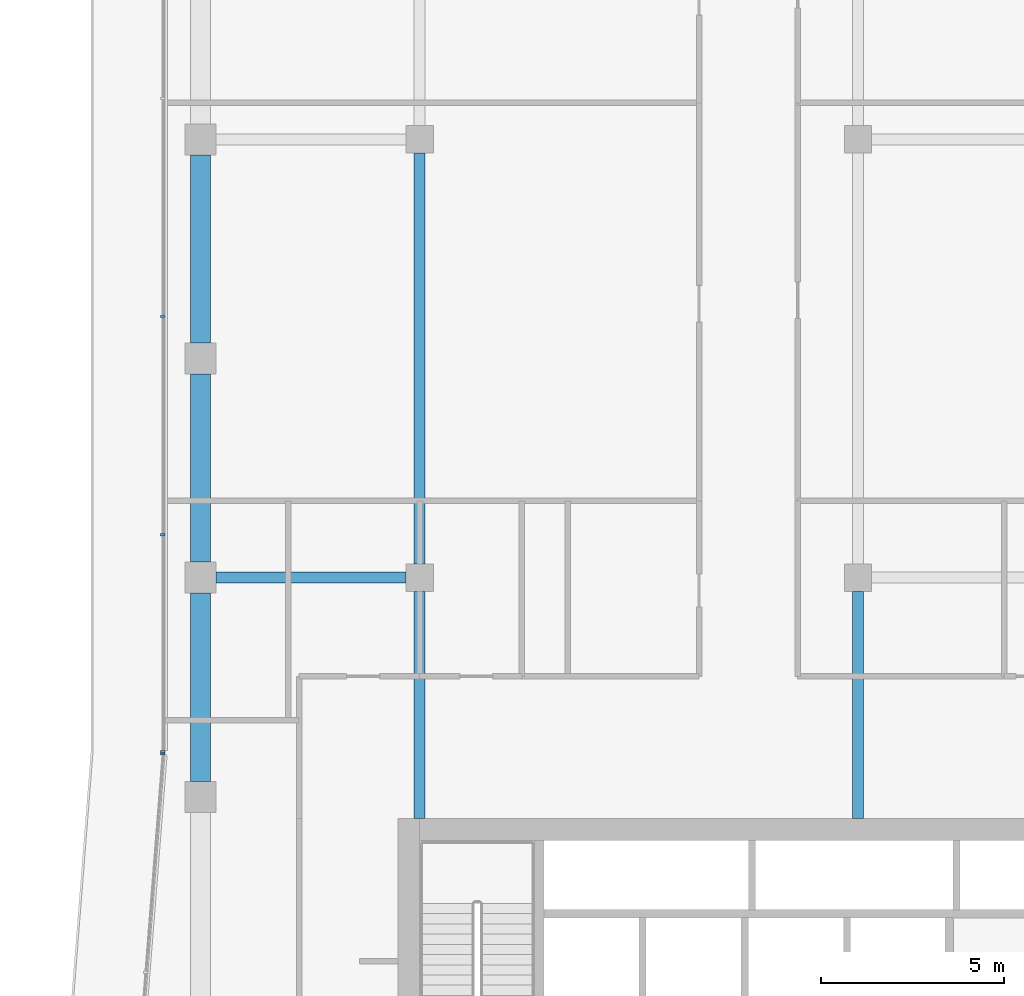
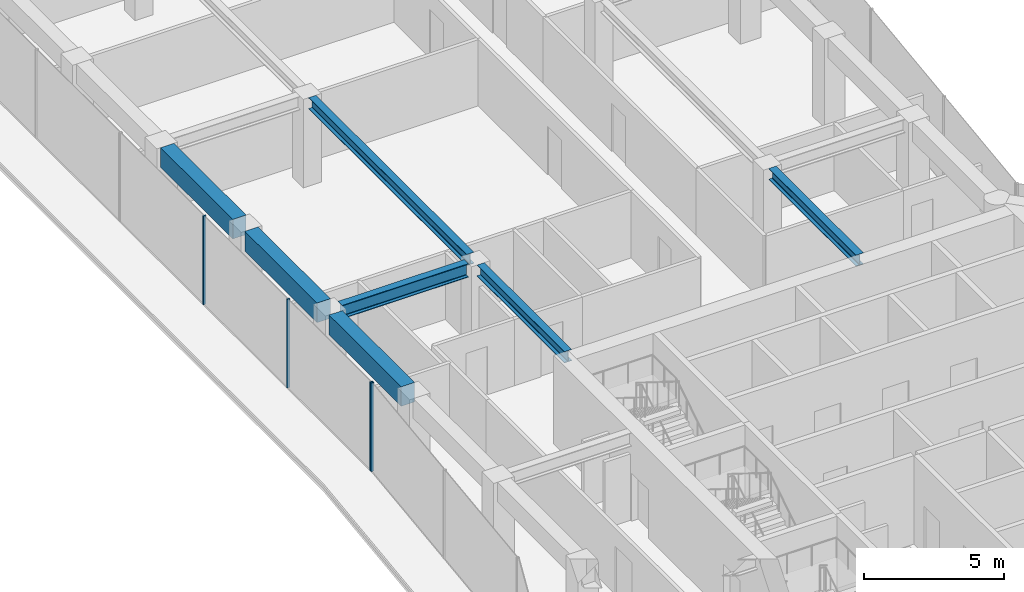
# One storey, part 8 of 22: 7 beams, 4 members, 2 elements without a shape of their own.
"""IFC4 building model written with IfcOpenShell, lengths in metres."""

from ifc_helpers import new_model, si_unit, direction, frame, origin, origin_2d, place, context, subcontext, project, spatial, rectangle, i_section, extrude, material, layer, layer_set, material_profile, profile_set, type_object, element, aggregate, save


model = new_model("IFC4")

# Units and contexts
model_context = context("Model", 3, precision=1e-05, world=origin(), true_north=direction((0.0, 1.0)))
body_context = subcontext(model_context, "Body", "Model", "MODEL_VIEW")
ifc_project = project(units=[si_unit("LENGTHUNIT", "METRE"), si_unit("AREAUNIT", "SQUARE_METRE"), si_unit("VOLUMEUNIT", "CUBIC_METRE"), si_unit("PLANEANGLEUNIT", "RADIAN"), si_unit("MASSUNIT", "GRAM", prefix="KILO")], contexts=[model_context])

# Site, building, storey
site_placement = place(None, origin())
site = spatial("IfcSite", under=ifc_project, at=site_placement, CompositionType="ELEMENT")
building_placement = place(site_placement, origin())
building = spatial("IfcBuilding", under=site, at=building_placement, Name="Welwitschia Terrace Campus", CompositionType="ELEMENT")
storey_placement = place(building_placement, frame((0.0, 0.0, 150.800048828125)))
storey = spatial("IfcBuildingStorey", under=building, at=storey_placement, Name="L33", CompositionType="ELEMENT", Elevation=150.800048828125)

# Beams
ifc_material_1 = material(Name="Steel S355", Category="steel")
ifc_material_profile_1 = material_profile(ifc_material_1, i_section(OverallWidth=0.300048828125, OverallDepth=0.489990234375, WebThickness=0.011962890625, FlangeThickness=0.02294921875, FilletRadius=0.027099609375, at=origin_2d()))
ifc_profile_set_1 = profile_set([ifc_material_profile_1], Name="Steel S355")
beam_type_1 = type_object("IfcBeamType", Name="Interior girder HE 500 A", PredefinedType="BEAM", material=ifc_profile_set_1)
beam_1_placement = place(storey_placement, frame((6.0, 25.40087890625, 3.60498046875), z_axis=(0.0, 1.0, 0.0), x_axis=(-1.0, 0.0, 0.0)))
element("IfcBeam", 1, at=beam_1_placement, inside=storey, type_object=beam_type_1, Name="Girder GB4", PredefinedType="BEAM", context=body_context, shape_type="SweptSolid", body=[
    extrude(i_section(OverallWidth=0.300048828125, OverallDepth=0.489990234375, WebThickness=0.011962890625, FlangeThickness=0.02294921875, FilletRadius=0.027099609375, at=origin_2d()), origin(), (0.0, 0.0, 1.0), 6.2236328125),
])
beam_2_placement = place(storey_placement, frame((6.0, 32.37548828125, 3.60498046875), z_axis=(0.0, 1.0, 0.0), x_axis=(-1.0, 0.0, 0.0)))
element("IfcBeam", 2, at=beam_2_placement, inside=storey, type_object=beam_type_1, Name="Girder GB4", PredefinedType="BEAM", context=body_context, shape_type="SweptSolid", body=[
    extrude(i_section(OverallWidth=0.300048828125, OverallDepth=0.489990234375, WebThickness=0.011962890625, FlangeThickness=0.02294921875, FilletRadius=0.027099609375, at=origin_2d()), origin(), (0.0, 0.0, 1.0), 11.2490234375),
])
beam_3_placement = place(storey_placement, frame((18.0, 25.40087890625, 3.60498046875), z_axis=(0.0, 1.0, 0.0), x_axis=(-1.0, 0.0, 0.0)))
element("IfcBeam", 3, at=beam_3_placement, inside=storey, type_object=beam_type_1, Name="Girder GB4", PredefinedType="BEAM", context=body_context, shape_type="SweptSolid", body=[
    extrude(i_section(OverallWidth=0.300048828125, OverallDepth=0.489990234375, WebThickness=0.011962890625, FlangeThickness=0.02294921875, FilletRadius=0.027099609375, at=origin_2d()), origin(), (0.0, 0.0, 1.0), 6.2236328125),
])

# Curtain wall, members
ifc_material_2 = material(Name="Bronze anodised aluminium", Category="aluminium")
ifc_layer = layer(ifc_material_2, 0.1201171875)
ifc_layer_set = layer_set([ifc_layer], Name="Bronze anodised aluminium")
curtain_wall_type = type_object("IfcCurtainWallType", Name="Curtain wall CW2 tower 6000", PredefinedType="NOTDEFINED", material=ifc_layer_set)
curtain_wall_1_placement = place(storey_placement, origin())
curtain_wall_1 = element("IfcCurtainWall", 4, at=curtain_wall_1_placement, inside=storey, type_object=curtain_wall_type, Name="CW L33.0.0", PredefinedType="NOTDEFINED")
ifc_material_3 = material(Name="Bronze anodised aluminium", Category="aluminium")
ifc_material_profile_2 = material_profile(ifc_material_3, rectangle(XDim=0.1201171875, YDim=0.06005859375, at=origin_2d()))
ifc_profile_set_2 = profile_set([ifc_material_profile_2], Name="Bronze anodised aluminium")
member_type = type_object("IfcMemberType", Name="Mullion 60x120", PredefinedType="MULLION", material=ifc_profile_set_2)
member_1_placement = place(storey_placement, frame((-1.030029296875, 39.14697265625, 0.0), z_axis=(0.0, 0.0, 1.0), x_axis=(1.0, 0.0, 0.0)))
member_1 = element("IfcMember", 5, at=member_1_placement, type_object=member_type, Name="Mullion L33.0.0.4", PredefinedType="MULLION", context=body_context, shape_type="SweptSolid", body=[
    extrude(rectangle(XDim=0.1201171875, YDim=0.06005859375, at=origin_2d()), origin(), (0.0, 0.0, 1.0), 3.849853515625),
])
member_2_placement = place(storey_placement, frame((-1.030029296875, 33.176025390625, 0.0), z_axis=(0.0, 0.0, 1.0), x_axis=(1.0, 0.0, 0.0)))
member_2 = element("IfcMember", 6, at=member_2_placement, type_object=member_type, Name="Mullion L33.0.0.5", PredefinedType="MULLION", context=body_context, shape_type="SweptSolid", body=[
    extrude(rectangle(XDim=0.1201171875, YDim=0.06005859375, at=origin_2d()), origin(), (0.0, 0.0, 1.0), 3.849853515625),
])
member_3_placement = place(storey_placement, frame((-1.030029296875, 27.2353515625, 0.0), z_axis=(0.0, 0.0, 1.0), x_axis=(1.0, 0.0, 0.0)))
member_3 = element("IfcMember", 7, at=member_3_placement, type_object=member_type, Name="Mullion L33.0.0.6", PredefinedType="MULLION", context=body_context, shape_type="SweptSolid", body=[
    extrude(rectangle(XDim=0.1201171875, YDim=0.06005859375, at=origin_2d()), origin(), (0.0, 0.0, 1.0), 3.849853515625),
])
aggregate(curtain_wall_1, [member_1, member_2, member_3])

# Curtain wall, member
curtain_wall_2_placement = place(storey_placement, origin())
curtain_wall_2 = element("IfcCurtainWall", 8, at=curtain_wall_2_placement, inside=storey, type_object=curtain_wall_type, Name="CW L33.1.0", PredefinedType="NOTDEFINED")
member_4_placement = place(storey_placement, frame((-1.032470703125, 27.17529296875, 0.0), z_axis=(0.0, 0.0, 1.0), x_axis=(0.996917333733, -0.078459095728, 0.0)))
member_4 = element("IfcMember", 9, at=member_4_placement, type_object=member_type, Name="Mullion L33.1.0.0", PredefinedType="MULLION", context=body_context, shape_type="SweptSolid", body=[
    extrude(rectangle(XDim=0.1201171875, YDim=0.06005859375, at=origin_2d()), origin(), (0.0, 0.0, 1.0), 3.849853515625),
])
aggregate(curtain_wall_2, [member_4])

# Beams
ifc_material_4 = material(Name="Steel S355", Category="steel")
ifc_material_profile_3 = material_profile(ifc_material_4, i_section(OverallWidth=0.300048828125, OverallDepth=0.590087890625, WebThickness=0.012939453125, FlangeThickness=0.02490234375, FilletRadius=0.027099609375, at=origin_2d()))
ifc_profile_set_3 = profile_set([ifc_material_profile_3], Name="Steel S355")
beam_type_2 = type_object("IfcBeamType", Name="Primary beam HE 600 A", PredefinedType="BEAM", material=ifc_profile_set_3)
beam_4_placement = place(storey_placement, frame((0.425537109375, 32.0, 3.554931640625), z_axis=(1.0, 0.0, 0.0), x_axis=(0.0, 1.0, 0.0)))
element("IfcBeam", 10, at=beam_4_placement, inside=storey, type_object=beam_type_2, Name="Primary beam PB4", PredefinedType="BEAM", context=body_context, shape_type="SweptSolid", body=[
    extrude(i_section(OverallWidth=0.300048828125, OverallDepth=0.590087890625, WebThickness=0.012939453125, FlangeThickness=0.02490234375, FilletRadius=0.027099609375, at=origin_2d()), origin(), (0.0, 0.0, 1.0), 5.198974609375),
])
ifc_material_5 = material(Name="Concrete C50/60", Category="concrete")
ifc_material_profile_4 = material_profile(ifc_material_5, rectangle(XDim=0.550048828125, YDim=0.85009765625, at=origin_2d()))
ifc_profile_set_4 = profile_set([ifc_material_profile_4], Name="Concrete C50/60")
beam_type_3 = type_object("IfcBeamType", Name="Ring spandrel 550x850", PredefinedType="SPANDREL", material=ifc_profile_set_4)
for number, where, z_axis, x_axis, name in (
    (11, (0.0, 43.574462890625, 3.425048828125), (0.0, -1.0, 0.0), (1.0, 0.0, 0.0), "Spandrel SP3"),
    (12, (0.0, 37.574462890625, 3.425048828125), (0.0, -1.0, 0.0), (1.0, 0.0, 0.0), "Spandrel SP3"),
    (13, (0.0, 31.574462890625, 3.425048828125), (0.0, -1.0, 0.0), (1.0, 0.0, 0.0), "Spandrel SP3"),
):
    element("IfcBeam", number, at=place(storey_placement, frame(where, z_axis=z_axis, x_axis=x_axis)), inside=storey, type_object=beam_type_3, Name=name, PredefinedType="SPANDREL", context=body_context, shape_type="SweptSolid", body=[
        extrude(rectangle(XDim=0.550048828125, YDim=0.85009765625, at=origin_2d()), origin(), (0.0, 0.0, 1.0), 5.14892578125),
    ])

save(model, "model.ifc")
